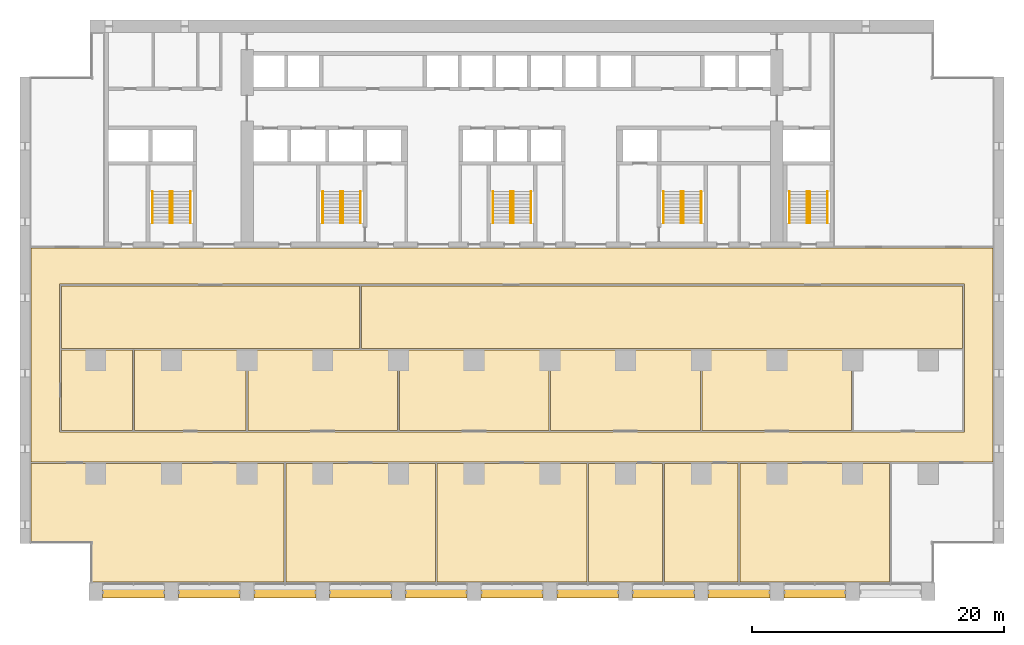
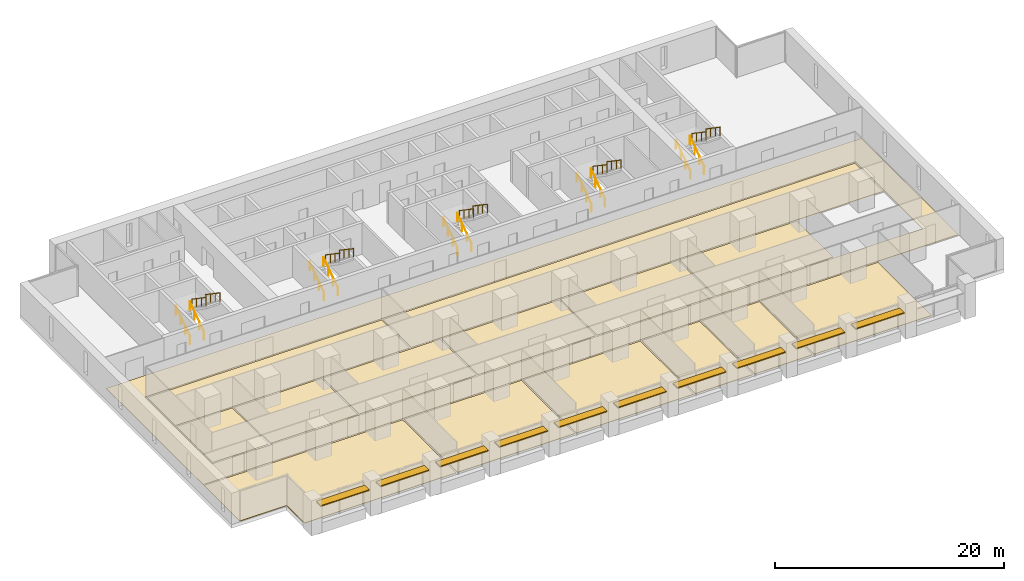
# One storey, part 17 of 18: 20 railings, 15 coverings, 10 shading devices, 5 elements without a shape of their own.
"""IFC4 building model written with IfcOpenShell, lengths in metres."""

import ifcopenshell
import ifcopenshell.guid

model = None  # the IFC model being written
_history = None  # IfcOwnerHistory: only IFC2X3 demands one
_inside = {}  # id of a spatial element -> (the spatial element, [elements in it])
_under = {}  # id of a project, library or spatial element -> (it, [spatial elements below it])
_declared = {}  # id of a project -> (the project, [libraries it declares])
_typed = {}  # id of a type object -> (the type object, [elements of that type])
_made_of = {}  # id of a material, layer set ... -> (it, [elements and type objects made of it])


def new_model(schema):
    """Start an empty IFC model of exactly this schema.

    Asked for "IFC4X3", IfcOpenShell would pick the latest addendum, in which some entities
    have other attributes; the version numbers below select the first issue.
    IFC2X3 requires an IfcOwnerHistory on every rooted entity: one is made here for all.
    """
    global model, _history
    if schema == "IFC4X3":
        model = ifcopenshell.file(schema_version=(4, 3, 0, 0))
    else:
        model = ifcopenshell.file(schema=schema)
    _inside.clear()
    _under.clear()
    _declared.clear()
    _typed.clear()
    _made_of.clear()
    _history = None
    if model.schema == "IFC2X3":
        org = make("IfcOrganization", Name="unknown")
        user = make(
            "IfcPersonAndOrganization",
            ThePerson=make("IfcPerson", FamilyName="unknown"),
            TheOrganization=org,
        )
        app = make(
            "IfcApplication",
            ApplicationDeveloper=org,
            Version="unknown",
            ApplicationFullName="unknown",
            ApplicationIdentifier="unknown",
        )
        _history = make(
            "IfcOwnerHistory",
            OwningUser=user,
            OwningApplication=app,
            ChangeAction="ADDED",
            CreationDate=0,
        )
    return model


def make(cls, **values):
    """One entity of the class cls with the attributes given. An attribute that is None is left unset."""
    return model.create_entity(
        cls, **{name: value for name, value in values.items() if value is not None}
    )


def rooted(cls, **values):
    """An entity with a GlobalId (a new one), such as an element, a storey or a relation."""
    return make(cls, GlobalId=ifcopenshell.guid.new(), OwnerHistory=_history, **values)


def si_unit(unit_type, name, prefix=None):
    """IfcSIUnit, for example si_unit("LENGTHUNIT", "METRE", prefix="MILLI")."""
    return make("IfcSIUnit", UnitType=unit_type, Prefix=prefix, Name=name)


def assignment(units):
    """IfcUnitAssignment: the units of a project."""
    return None if units is None else make("IfcUnitAssignment", Units=units)


def point(xyz):
    """IfcCartesianPoint."""
    return None if xyz is None else make("IfcCartesianPoint", Coordinates=xyz)


def direction(xyz):
    """IfcDirection."""
    return None if xyz is None else make("IfcDirection", DirectionRatios=xyz)


def frame(location, z_axis=None, x_axis=None):
    """IfcAxis2Placement3D, a coordinate frame: its origin and axes. An axis left out is left unset."""
    return make(
        "IfcAxis2Placement3D",
        Location=point(location),
        Axis=direction(z_axis),
        RefDirection=direction(x_axis),
    )


def frame_2d(location, x_axis=None):
    """IfcAxis2Placement2D, a coordinate frame in the plane: its origin and x axis."""
    return make(
        "IfcAxis2Placement2D", Location=point(location), RefDirection=direction(x_axis)
    )


def origin():
    """The frame at (0, 0, 0) with its axes left unset."""
    return frame((0.0, 0.0, 0.0))


def origin_2d():
    """The frame at (0, 0) in the plane with its x axis left unset."""
    return frame_2d((0.0, 0.0))


def place(relative_to, where):
    """IfcLocalPlacement: puts the frame where relative to a parent placement (None: the world)."""
    return make(
        "IfcLocalPlacement", PlacementRelTo=relative_to, RelativePlacement=where
    )


def context(
    kind, dimensions, precision=None, world=None, true_north=None, identifier=None
):
    """IfcGeometricRepresentationContext, for example the 3D "Model" context."""
    return make(
        "IfcGeometricRepresentationContext",
        ContextIdentifier=identifier,
        ContextType=kind,
        CoordinateSpaceDimension=dimensions,
        Precision=precision,
        WorldCoordinateSystem=world,
        TrueNorth=true_north,
    )


def subcontext(parent, identifier, kind, view, scale=None):
    """IfcGeometricRepresentationSubContext, for example "Body" below "Model"."""
    return make(
        "IfcGeometricRepresentationSubContext",
        ContextIdentifier=identifier,
        ContextType=kind,
        ParentContext=parent,
        TargetScale=scale,
        TargetView=view,
    )


def project(units=None, contexts=None):
    """IfcProject with its units and contexts."""
    return rooted(
        "IfcProject",
        Name="project",
        RepresentationContexts=contexts,
        UnitsInContext=assignment(units),
    )


def spatial(cls, under=None, at=None, **own):
    """A site, building, storey or space (cls), placed at a placement, below another one or the project."""
    s = rooted(cls, ObjectPlacement=at, **own)
    if under is not None:
        _under.setdefault(under.id(), (under, []))[1].append(s)
    return s


def polyline(points):
    """IfcPolyline through the points."""
    return make("IfcPolyline", Points=[point(p) for p in points])


def profile(cls, at=None, kind="AREA", **sizes):
    """A parametric profile (cls). Its sizes go by their IFC names, for example OverallWidth=200.0."""
    return make(cls, ProfileType=kind, Position=at, **sizes)


def rectangle(**sizes):
    """IfcRectangleProfileDef."""
    return profile("IfcRectangleProfileDef", **sizes)


def circle(**sizes):
    """IfcCircleProfileDef."""
    return profile("IfcCircleProfileDef", **sizes)


def outline(outer, holes=None, kind="AREA"):
    """IfcArbitraryClosedProfileDef: a profile drawn as a closed curve; with holes, ...WithVoids."""
    if holes is None:
        return make("IfcArbitraryClosedProfileDef", ProfileType=kind, OuterCurve=outer)
    return make(
        "IfcArbitraryProfileDefWithVoids",
        ProfileType=kind,
        OuterCurve=outer,
        InnerCurves=holes,
    )


def extrude(swept, where, along, depth):
    """IfcExtrudedAreaSolid: the profile swept, set in the frame where, extruded along a direction by depth."""
    return make(
        "IfcExtrudedAreaSolid",
        SweptArea=swept,
        Position=where,
        ExtrudedDirection=direction(along),
        Depth=depth,
    )


def shape(context_of_items, identifier, shape_type, items):
    """IfcShapeRepresentation: the items that make up one representation, for example the "Body"."""
    return make(
        "IfcShapeRepresentation",
        ContextOfItems=context_of_items,
        RepresentationIdentifier=identifier,
        RepresentationType=shape_type,
        Items=items,
    )


def material(Name=None, Category=None):
    """IfcMaterial."""
    return make("IfcMaterial", Name=Name, Category=Category)


def layer(
    of_material, thickness, ventilated=None, Name=None, Category=None, Priority=None
):
    """IfcMaterialLayer: one layer of a wall or slab, of a material (None: an air gap)."""
    return make(
        "IfcMaterialLayer",
        Material=of_material,
        LayerThickness=thickness,
        IsVentilated=ventilated,
        Name=Name,
        Category=Category,
        Priority=Priority,
    )


def layer_set(layers, Name=None):
    """IfcMaterialLayerSet."""
    return make("IfcMaterialLayerSet", MaterialLayers=layers, LayerSetName=Name)


def material_profile(
    of_material, cross_section, Name=None, Category=None, Priority=None
):
    """IfcMaterialProfile: a cross section and its material."""
    return make(
        "IfcMaterialProfile",
        Name=Name,
        Material=of_material,
        Profile=cross_section,
        Priority=Priority,
        Category=Category,
    )


def profile_set(profiles, Name=None, composite=None):
    """IfcMaterialProfileSet."""
    return make(
        "IfcMaterialProfileSet",
        Name=Name,
        MaterialProfiles=profiles,
        CompositeProfile=composite,
    )


def made_of(thing, what):
    """Note that an element or type object is made of a material, layer set ...; save() writes the relation."""
    if what is not None:
        _made_of.setdefault(what.id(), (what, []))[1].append(thing)
    return thing


def type_object(cls, material=None, **own):
    """A type object (cls), such as IfcWallType, which elements share."""
    return made_of(rooted(cls, **own), material)


def element(
    cls,
    number,
    at=None,
    inside=None,
    cuts=None,
    type_object=None,
    material=None,
    context=None,
    identifier="Body",
    shape_type=None,
    held_by="IfcProductDefinitionShape",
    body=None,
    shapes=None,
    **own,
):
    """One element of the class cls, such as IfcWall. Its Tag is "e" and its number.

    at: its placement. inside: the storey or other place that contains it. cuts: it is an
    opening in that element (IfcRelVoidsElement). A single representation is given by context,
    identifier, shape_type and body (its items); several are given by shapes. held_by: the class
    of the entity that holds the representations. save() writes the other relations.
    """
    e = rooted(cls, Tag="e%d" % number, ObjectPlacement=at, **own)
    if body is not None:
        shapes = [shape(context, identifier, shape_type, body)]
    if shapes is not None:
        e.Representation = make(held_by, Representations=shapes)
    if inside is not None:
        _inside.setdefault(inside.id(), (inside, []))[1].append(e)
    if cuts is not None:
        rooted(
            "IfcRelVoidsElement", RelatingBuildingElement=cuts, RelatedOpeningElement=e
        )
    if type_object is not None:
        _typed.setdefault(type_object.id(), (type_object, []))[1].append(e)
    return made_of(e, material)


def aggregate(whole, parts):
    """IfcRelAggregates: a whole, such as a stair, and the parts it consists of."""
    return rooted("IfcRelAggregates", RelatingObject=whole, RelatedObjects=parts)


def save(model, path):
    """Write the relations noted so far, then the file.

    IfcRelAggregates (storeys below a building ...), IfcRelContainedInSpatialStructure (elements
    in a storey), IfcRelDefinesByType, IfcRelAssociatesMaterial and IfcRelDeclares: one each for
    every whole, place, type object, material and project.
    """
    for whole, parts in _under.values():
        aggregate(whole, parts)
    for where, things in _inside.values():
        rooted(
            "IfcRelContainedInSpatialStructure",
            RelatedElements=things,
            RelatingStructure=where,
        )
    for kind, things in _typed.values():
        rooted("IfcRelDefinesByType", RelatedObjects=things, RelatingType=kind)
    for what, things in _made_of.values():
        rooted("IfcRelAssociatesMaterial", RelatedObjects=things, RelatingMaterial=what)
    for by, libraries in _declared.values():
        rooted("IfcRelDeclares", RelatingContext=by, RelatedDefinitions=libraries)
    model.write(path)


model = new_model("IFC4")

# Units and contexts
model_context = context("Model", 3, precision=1e-05, world=origin(), true_north=direction((0.0, 1.0)))
body_context = subcontext(model_context, "Body", "Model", "MODEL_VIEW")
ifc_project = project(units=[si_unit("LENGTHUNIT", "METRE"), si_unit("AREAUNIT", "SQUARE_METRE"), si_unit("VOLUMEUNIT", "CUBIC_METRE"), si_unit("PLANEANGLEUNIT", "RADIAN"), si_unit("MASSUNIT", "GRAM", prefix="KILO")], contexts=[model_context])

# Site, building, storey
site_placement = place(None, origin())
site = spatial("IfcSite", under=ifc_project, at=site_placement, CompositionType="ELEMENT")
building_placement = place(site_placement, origin())
building = spatial("IfcBuilding", under=site, at=building_placement, Name="Calvaro Tower", CompositionType="ELEMENT")
storey_placement = place(building_placement, frame((0.0, 0.0, 60.0)))
storey = spatial("IfcBuildingStorey", under=building, at=storey_placement, Name="L14", CompositionType="ELEMENT", Elevation=60.0)

# Shading devices
ifc_material_1 = material(Name="Anodised aluminium", Category="aluminium")
ifc_material_profile = material_profile(ifc_material_1, rectangle(XDim=0.800048828125, YDim=0.10009765625, at=origin_2d()), Name="Brise-soleil blade 800 x 100")
ifc_profile_set = profile_set([ifc_material_profile], Name="Anodised aluminium")
shading_device_type = type_object("IfcShadingDeviceType", Name="Brise-soleil blade 800 x 100", PredefinedType="JALOUSIE", material=ifc_profile_set)
for number, where, z_axis, x_axis, name in (
    (1, (6.550048828125, 0.60009765625, 2.300048828125), (1.0, 0.0, 0.0), (0.0, 1.0, 0.0), "Brise-soleil blade 1"),
    (2, (12.550048828125, 0.60009765625, 2.300048828125), (1.0, 0.0, 0.0), (0.0, 1.0, 0.0), "Brise-soleil blade 2"),
    (3, (18.550048828125, 0.60009765625, 2.300048828125), (1.0, 0.0, 0.0), (0.0, 1.0, 0.0), "Brise-soleil blade 3"),
    (4, (24.550048828125, 0.60009765625, 2.300048828125), (1.0, 0.0, 0.0), (0.0, 1.0, 0.0), "Brise-soleil blade 4"),
    (5, (30.550048828125, 0.60009765625, 2.300048828125), (1.0, 0.0, 0.0), (0.0, 1.0, 0.0), "Brise-soleil blade 5"),
    (6, (36.550048828125, 0.60009765625, 2.300048828125), (1.0, 0.0, 0.0), (0.0, 1.0, 0.0), "Brise-soleil blade 6"),
    (7, (42.550048828125, 0.60009765625, 2.300048828125), (1.0, 0.0, 0.0), (0.0, 1.0, 0.0), "Brise-soleil blade 7"),
    (8, (48.550048828125, 0.60009765625, 2.300048828125), (1.0, 0.0, 0.0), (0.0, 1.0, 0.0), "Brise-soleil blade 8"),
    (9, (54.550048828125, 0.60009765625, 2.300048828125), (1.0, 0.0, 0.0), (0.0, 1.0, 0.0), "Brise-soleil blade 9"),
    (10, (60.550048828125, 0.60009765625, 2.300048828125), (1.0, 0.0, 0.0), (0.0, 1.0, 0.0), "Brise-soleil blade 10"),
):
    element("IfcShadingDevice", number, at=place(storey_placement, frame(where, z_axis=z_axis, x_axis=x_axis)), inside=storey, type_object=shading_device_type, Name=name, PredefinedType="JALOUSIE", context=body_context, shape_type="SweptSolid", body=[
        extrude(rectangle(XDim=0.800048828125, YDim=0.10009765625, at=origin_2d()), origin(), (0.0, 0.0, 1.0), 4.89990234375),
    ])

# Coverings
ifc_material_2 = material(Name="Cement screed with carpet tile finish")
ifc_layer = layer(ifc_material_2, 0.050048828125)
ifc_layer_set = layer_set([ifc_layer], Name="Cement screed with carpet tile finish")
covering_type = type_object("IfcCoveringType", Name="Floor finish 50", PredefinedType="FLOORING", material=ifc_layer_set)
covering_1_placement = place(storey_placement, origin())
element("IfcCovering", 11, at=covering_1_placement, inside=storey, type_object=covering_type, Name="Floor finish 12.01", PredefinedType="FLOORING", context=body_context, shape_type="SweptSolid", body=[
    extrude(outline(polyline([(0.8701171875, 10.969970703125), (0.8701171875, 27.929931640625), (77.1298828125, 27.929931640625), (77.1298828125, 10.969970703125), (0.8701171875, 10.969970703125)]), holes=[polyline([(74.8701171875, 13.330078125), (74.8701171875, 25.070068359375), (3.1298828125, 25.070068359375), (3.1298828125, 13.330078125), (74.8701171875, 13.330078125)])]), origin(), (0.0, 0.0, 1.0), 0.050048828125),
])
covering_2_placement = place(storey_placement, origin())
element("IfcCovering", 12, at=covering_2_placement, inside=storey, type_object=covering_type, Name="Floor finish 12.07", PredefinedType="FLOORING", context=body_context, shape_type="SweptSolid", body=[
    extrude(outline(polyline([(20.929931640625, 10.830078125), (20.929931640625, 1.469970703125), (5.6201171875, 1.469970703125), (5.6201171875, 4.570068359375), (0.8701171875, 4.570068359375), (0.8701171875, 10.830078125), (20.929931640625, 10.830078125)])), origin(), (0.0, 0.0, 1.0), 0.050048828125),
])
covering_3_placement = place(storey_placement, origin())
element("IfcCovering", 13, at=covering_3_placement, inside=storey, type_object=covering_type, Name="Floor finish 12.02", PredefinedType="FLOORING", context=body_context, shape_type="SweptSolid", body=[
    extrude(outline(polyline([(21.070068359375, 10.830078125), (32.929931640625, 10.830078125), (32.929931640625, 1.469970703125), (21.070068359375, 1.469970703125), (21.070068359375, 10.830078125)])), origin(), (0.0, 0.0, 1.0), 0.050048828125),
])
covering_4_placement = place(storey_placement, origin())
element("IfcCovering", 14, at=covering_4_placement, inside=storey, type_object=covering_type, Name="Floor finish 12.03", PredefinedType="FLOORING", context=body_context, shape_type="SweptSolid", body=[
    extrude(outline(polyline([(33.070068359375, 10.830078125), (44.929931640625, 10.830078125), (44.929931640625, 1.469970703125), (33.070068359375, 1.469970703125), (33.070068359375, 10.830078125)])), origin(), (0.0, 0.0, 1.0), 0.050048828125),
])
covering_5_placement = place(storey_placement, origin())
element("IfcCovering", 15, at=covering_5_placement, inside=storey, type_object=covering_type, Name="Floor finish 12.04", PredefinedType="FLOORING", context=body_context, shape_type="SweptSolid", body=[
    extrude(outline(polyline([(45.070068359375, 10.830078125), (50.929931640625, 10.830078125), (50.929931640625, 1.469970703125), (45.070068359375, 1.469970703125), (45.070068359375, 10.830078125)])), origin(), (0.0, 0.0, 1.0), 0.050048828125),
])
covering_6_placement = place(storey_placement, origin())
element("IfcCovering", 16, at=covering_6_placement, inside=storey, type_object=covering_type, Name="Floor finish 12.05", PredefinedType="FLOORING", context=body_context, shape_type="SweptSolid", body=[
    extrude(outline(polyline([(51.070068359375, 10.830078125), (56.929931640625, 10.830078125), (56.929931640625, 1.469970703125), (51.070068359375, 1.469970703125), (51.070068359375, 10.830078125)])), origin(), (0.0, 0.0, 1.0), 0.050048828125),
])
covering_7_placement = place(storey_placement, origin())
element("IfcCovering", 17, at=covering_7_placement, inside=storey, type_object=covering_type, Name="Floor finish 12.06", PredefinedType="FLOORING", context=body_context, shape_type="SweptSolid", body=[
    extrude(outline(polyline([(57.070068359375, 10.830078125), (68.929931640625, 10.830078125), (68.929931640625, 1.469970703125), (57.070068359375, 1.469970703125), (57.070068359375, 10.830078125)])), origin(), (0.0, 0.0, 1.0), 0.050048828125),
])
covering_8_placement = place(storey_placement, origin())
element("IfcCovering", 18, at=covering_8_placement, inside=storey, type_object=covering_type, Name="Floor finish 12.09", PredefinedType="FLOORING", context=body_context, shape_type="SweptSolid", body=[
    extrude(outline(polyline([(3.27001953125, 13.469970703125), (3.27001953125, 19.830078125), (8.929931640625, 19.830078125), (8.929931640625, 13.469970703125), (3.27001953125, 13.469970703125)])), origin(), (0.0, 0.0, 1.0), 0.050048828125),
])
covering_9_placement = place(storey_placement, origin())
element("IfcCovering", 19, at=covering_9_placement, inside=storey, type_object=covering_type, Name="Floor finish 12.10", PredefinedType="FLOORING", context=body_context, shape_type="SweptSolid", body=[
    extrude(outline(polyline([(9.070068359375, 13.469970703125), (9.070068359375, 19.830078125), (17.929931640625, 19.830078125), (17.929931640625, 13.469970703125), (9.070068359375, 13.469970703125)])), origin(), (0.0, 0.0, 1.0), 0.050048828125),
])
covering_10_placement = place(storey_placement, origin())
element("IfcCovering", 20, at=covering_10_placement, inside=storey, type_object=covering_type, Name="Floor finish 12.11", PredefinedType="FLOORING", context=body_context, shape_type="SweptSolid", body=[
    extrude(outline(polyline([(18.070068359375, 13.469970703125), (18.070068359375, 19.830078125), (29.929931640625, 19.830078125), (29.929931640625, 13.469970703125), (18.070068359375, 13.469970703125)])), origin(), (0.0, 0.0, 1.0), 0.050048828125),
])
covering_11_placement = place(storey_placement, origin())
element("IfcCovering", 21, at=covering_11_placement, inside=storey, type_object=covering_type, Name="Floor finish 12.12", PredefinedType="FLOORING", context=body_context, shape_type="SweptSolid", body=[
    extrude(outline(polyline([(30.070068359375, 13.469970703125), (30.070068359375, 19.830078125), (41.929931640625, 19.830078125), (41.929931640625, 13.469970703125), (30.070068359375, 13.469970703125)])), origin(), (0.0, 0.0, 1.0), 0.050048828125),
])
covering_12_placement = place(storey_placement, origin())
element("IfcCovering", 22, at=covering_12_placement, inside=storey, type_object=covering_type, Name="Floor finish 12.13", PredefinedType="FLOORING", context=body_context, shape_type="SweptSolid", body=[
    extrude(outline(polyline([(42.070068359375, 13.469970703125), (42.070068359375, 19.830078125), (53.929931640625, 19.830078125), (53.929931640625, 13.469970703125), (42.070068359375, 13.469970703125)])), origin(), (0.0, 0.0, 1.0), 0.050048828125),
])
covering_13_placement = place(storey_placement, origin())
element("IfcCovering", 23, at=covering_13_placement, inside=storey, type_object=covering_type, Name="Floor finish 12.14", PredefinedType="FLOORING", context=body_context, shape_type="SweptSolid", body=[
    extrude(outline(polyline([(54.070068359375, 13.469970703125), (54.070068359375, 19.830078125), (65.929931640625, 19.830078125), (65.929931640625, 13.469970703125), (54.070068359375, 13.469970703125)])), origin(), (0.0, 0.0, 1.0), 0.050048828125),
])
covering_14_placement = place(storey_placement, origin())
element("IfcCovering", 24, at=covering_14_placement, inside=storey, type_object=covering_type, Name="Floor finish 12.16", PredefinedType="FLOORING", context=body_context, shape_type="SweptSolid", body=[
    extrude(outline(polyline([(3.27001953125, 19.969970703125), (3.27001953125, 24.929931640625), (26.929931640625, 24.929931640625), (26.929931640625, 19.969970703125), (3.27001953125, 19.969970703125)])), origin(), (0.0, 0.0, 1.0), 0.050048828125),
])
covering_15_placement = place(storey_placement, origin())
element("IfcCovering", 25, at=covering_15_placement, inside=storey, type_object=covering_type, Name="Floor finish 12.17", PredefinedType="FLOORING", context=body_context, shape_type="SweptSolid", body=[
    extrude(outline(polyline([(27.070068359375, 19.969970703125), (27.070068359375, 24.929931640625), (74.72998046875, 24.929931640625), (74.72998046875, 19.969970703125), (27.070068359375, 19.969970703125)])), origin(), (0.0, 0.0, 1.0), 0.050048828125),
])

# Stair, railings
ifc_material_3 = material(Name="Concrete C40/50", Category="concrete")
stair_type = type_object("IfcStairType", Name="Exit stair 1400 2 flights", PredefinedType="HALF_TURN_STAIR", material=ifc_material_3)
stair_1_placement = place(storey_placement, origin())
stair_1 = element("IfcStair", 26, at=stair_1_placement, inside=storey, type_object=stair_type, Name="Exit stair S1", PredefinedType="HALF_TURN_STAIR")
ifc_material_4 = material(Name="Stainless steel", Category="steel")
railing_type = type_object("IfcRailingType", Name="Stair handrail", PredefinedType="HANDRAIL", material=ifc_material_4)
railing_1_placement = place(storey_placement, frame((11.89990234375, 29.89990234375, 0.17041015625)))
railing_1 = element("IfcRailing", 27, at=railing_1_placement, type_object=railing_type, Name="Exit stair 1 handrail", PredefinedType="HANDRAIL", context=body_context, shape_type="SweptSolid", body=[
    extrude(circle(Radius=0.02392578125, at=origin_2d()), frame((0.0, 0.0, 0.8759765625), z_axis=(0.0, 0.826220514629, 0.563346839174), x_axis=(-1.0, 0.0, 0.0)), (0.0, 0.0, 1.0), 3.02587890625),
    extrude(circle(Radius=0.02099609375, at=origin_2d()), frame((0.0, 0.017333984375, 0.01171875)), (0.0, 0.0, 1.0), 0.851806640625),
    extrude(circle(Radius=0.02099609375, at=origin_2d()), frame((0.0, 0.833251953125, 0.568115234375)), (0.0, 0.0, 1.0), 0.851806640625),
    extrude(circle(Radius=0.02099609375, at=origin_2d()), frame((0.0, 1.666748046875, 1.136474609375)), (0.0, 0.0, 1.0), 0.851806640625),
    extrude(circle(Radius=0.02099609375, at=origin_2d()), frame((0.0, 2.482666015625, 1.69287109375)), (0.0, 0.0, 1.0), 0.851806640625),
])
railing_2_placement = place(storey_placement, frame((10.5, 29.89990234375, 0.17041015625)))
railing_2 = element("IfcRailing", 28, at=railing_2_placement, type_object=railing_type, Name="Exit stair 1 handrail", PredefinedType="HANDRAIL", context=body_context, shape_type="SweptSolid", body=[
    extrude(circle(Radius=0.02392578125, at=origin_2d()), frame((0.0, 0.0, 0.8759765625), z_axis=(0.0, 0.826220514629, 0.563346839174), x_axis=(-1.0, 0.0, 0.0)), (0.0, 0.0, 1.0), 3.02587890625),
    extrude(circle(Radius=0.02099609375, at=origin_2d()), frame((0.0, 0.017333984375, 0.01171875)), (0.0, 0.0, 1.0), 0.851806640625),
    extrude(circle(Radius=0.02099609375, at=origin_2d()), frame((0.0, 0.833251953125, 0.568115234375)), (0.0, 0.0, 1.0), 0.851806640625),
    extrude(circle(Radius=0.02099609375, at=origin_2d()), frame((0.0, 1.666748046875, 1.136474609375)), (0.0, 0.0, 1.0), 0.851806640625),
    extrude(circle(Radius=0.02099609375, at=origin_2d()), frame((0.0, 2.482666015625, 1.69287109375)), (0.0, 0.0, 1.0), 0.851806640625),
])
railing_3_placement = place(storey_placement, frame((12.10009765625, 32.39990234375, 2.04541015625)))
railing_3 = element("IfcRailing", 29, at=railing_3_placement, type_object=railing_type, Name="Exit stair 1 handrail", PredefinedType="HANDRAIL", context=body_context, shape_type="SweptSolid", body=[
    extrude(circle(Radius=0.02392578125, at=origin_2d()), frame((0.0, 0.0, 0.8759765625), z_axis=(0.0, -0.826220514629, 0.563346839174), x_axis=(1.0, 0.0, 0.0)), (0.0, 0.0, 1.0), 3.02587890625),
    extrude(circle(Radius=0.02099609375, at=origin_2d()), frame((0.0, -0.017333984375, 0.01171875)), (0.0, 0.0, 1.0), 0.851806640625),
    extrude(circle(Radius=0.02099609375, at=origin_2d()), frame((0.0, -0.833251953125, 0.568115234375)), (0.0, 0.0, 1.0), 0.851806640625),
    extrude(circle(Radius=0.02099609375, at=origin_2d()), frame((0.0, -1.666748046875, 1.136474609375)), (0.0, 0.0, 1.0), 0.851806640625),
    extrude(circle(Radius=0.02099609375, at=origin_2d()), frame((0.0, -2.482666015625, 1.69287109375)), (0.0, 0.0, 1.0), 0.851806640625),
])
railing_4_placement = place(storey_placement, frame((13.5, 32.39990234375, 2.04541015625)))
railing_4 = element("IfcRailing", 30, at=railing_4_placement, type_object=railing_type, Name="Exit stair 1 handrail", PredefinedType="HANDRAIL", context=body_context, shape_type="SweptSolid", body=[
    extrude(circle(Radius=0.02392578125, at=origin_2d()), frame((0.0, 0.0, 0.8759765625), z_axis=(0.0, -0.826220514629, 0.563346839174), x_axis=(1.0, 0.0, 0.0)), (0.0, 0.0, 1.0), 3.02587890625),
    extrude(circle(Radius=0.02099609375, at=origin_2d()), frame((0.0, -0.017333984375, 0.01171875)), (0.0, 0.0, 1.0), 0.851806640625),
    extrude(circle(Radius=0.02099609375, at=origin_2d()), frame((0.0, -0.833251953125, 0.568115234375)), (0.0, 0.0, 1.0), 0.851806640625),
    extrude(circle(Radius=0.02099609375, at=origin_2d()), frame((0.0, -1.666748046875, 1.136474609375)), (0.0, 0.0, 1.0), 0.851806640625),
    extrude(circle(Radius=0.02099609375, at=origin_2d()), frame((0.0, -2.482666015625, 1.69287109375)), (0.0, 0.0, 1.0), 0.851806640625),
])
aggregate(stair_1, [railing_1, railing_2, railing_3, railing_4])

stair_2_placement = place(storey_placement, origin())
stair_2 = element("IfcStair", 31, at=stair_2_placement, inside=storey, type_object=stair_type, Name="Exit stair S2", PredefinedType="HALF_TURN_STAIR")
railing_5_placement = place(storey_placement, frame((25.39990234375, 29.89990234375, 0.17041015625)))
railing_5 = element("IfcRailing", 32, at=railing_5_placement, type_object=railing_type, Name="Exit stair 2 handrail", PredefinedType="HANDRAIL", context=body_context, shape_type="SweptSolid", body=[
    extrude(circle(Radius=0.02392578125, at=origin_2d()), frame((0.0, 0.0, 0.8759765625), z_axis=(0.0, 0.826220514629, 0.563346839174), x_axis=(-1.0, 0.0, 0.0)), (0.0, 0.0, 1.0), 3.02587890625),
    extrude(circle(Radius=0.02099609375, at=origin_2d()), frame((0.0, 0.017333984375, 0.01171875)), (0.0, 0.0, 1.0), 0.851806640625),
    extrude(circle(Radius=0.02099609375, at=origin_2d()), frame((0.0, 0.833251953125, 0.568115234375)), (0.0, 0.0, 1.0), 0.851806640625),
    extrude(circle(Radius=0.02099609375, at=origin_2d()), frame((0.0, 1.666748046875, 1.136474609375)), (0.0, 0.0, 1.0), 0.851806640625),
    extrude(circle(Radius=0.02099609375, at=origin_2d()), frame((0.0, 2.482666015625, 1.69287109375)), (0.0, 0.0, 1.0), 0.851806640625),
])
railing_6_placement = place(storey_placement, frame((24.0, 29.89990234375, 0.17041015625)))
railing_6 = element("IfcRailing", 33, at=railing_6_placement, type_object=railing_type, Name="Exit stair 2 handrail", PredefinedType="HANDRAIL", context=body_context, shape_type="SweptSolid", body=[
    extrude(circle(Radius=0.02392578125, at=origin_2d()), frame((0.0, 0.0, 0.8759765625), z_axis=(0.0, 0.826220514629, 0.563346839174), x_axis=(-1.0, 0.0, 0.0)), (0.0, 0.0, 1.0), 3.02587890625),
    extrude(circle(Radius=0.02099609375, at=origin_2d()), frame((0.0, 0.017333984375, 0.01171875)), (0.0, 0.0, 1.0), 0.851806640625),
    extrude(circle(Radius=0.02099609375, at=origin_2d()), frame((0.0, 0.833251953125, 0.568115234375)), (0.0, 0.0, 1.0), 0.851806640625),
    extrude(circle(Radius=0.02099609375, at=origin_2d()), frame((0.0, 1.666748046875, 1.136474609375)), (0.0, 0.0, 1.0), 0.851806640625),
    extrude(circle(Radius=0.02099609375, at=origin_2d()), frame((0.0, 2.482666015625, 1.69287109375)), (0.0, 0.0, 1.0), 0.851806640625),
])
railing_7_placement = place(storey_placement, frame((25.60009765625, 32.39990234375, 2.04541015625)))
railing_7 = element("IfcRailing", 34, at=railing_7_placement, type_object=railing_type, Name="Exit stair 2 handrail", PredefinedType="HANDRAIL", context=body_context, shape_type="SweptSolid", body=[
    extrude(circle(Radius=0.02392578125, at=origin_2d()), frame((0.0, 0.0, 0.8759765625), z_axis=(0.0, -0.826220514629, 0.563346839174), x_axis=(1.0, 0.0, 0.0)), (0.0, 0.0, 1.0), 3.02587890625),
    extrude(circle(Radius=0.02099609375, at=origin_2d()), frame((0.0, -0.017333984375, 0.01171875)), (0.0, 0.0, 1.0), 0.851806640625),
    extrude(circle(Radius=0.02099609375, at=origin_2d()), frame((0.0, -0.833251953125, 0.568115234375)), (0.0, 0.0, 1.0), 0.851806640625),
    extrude(circle(Radius=0.02099609375, at=origin_2d()), frame((0.0, -1.666748046875, 1.136474609375)), (0.0, 0.0, 1.0), 0.851806640625),
    extrude(circle(Radius=0.02099609375, at=origin_2d()), frame((0.0, -2.482666015625, 1.69287109375)), (0.0, 0.0, 1.0), 0.851806640625),
])
railing_8_placement = place(storey_placement, frame((27.0, 32.39990234375, 2.04541015625)))
railing_8 = element("IfcRailing", 35, at=railing_8_placement, type_object=railing_type, Name="Exit stair 2 handrail", PredefinedType="HANDRAIL", context=body_context, shape_type="SweptSolid", body=[
    extrude(circle(Radius=0.02392578125, at=origin_2d()), frame((0.0, 0.0, 0.8759765625), z_axis=(0.0, -0.826220514629, 0.563346839174), x_axis=(1.0, 0.0, 0.0)), (0.0, 0.0, 1.0), 3.02587890625),
    extrude(circle(Radius=0.02099609375, at=origin_2d()), frame((0.0, -0.017333984375, 0.01171875)), (0.0, 0.0, 1.0), 0.851806640625),
    extrude(circle(Radius=0.02099609375, at=origin_2d()), frame((0.0, -0.833251953125, 0.568115234375)), (0.0, 0.0, 1.0), 0.851806640625),
    extrude(circle(Radius=0.02099609375, at=origin_2d()), frame((0.0, -1.666748046875, 1.136474609375)), (0.0, 0.0, 1.0), 0.851806640625),
    extrude(circle(Radius=0.02099609375, at=origin_2d()), frame((0.0, -2.482666015625, 1.69287109375)), (0.0, 0.0, 1.0), 0.851806640625),
])
aggregate(stair_2, [railing_5, railing_6, railing_7, railing_8])

stair_3_placement = place(storey_placement, origin())
stair_3 = element("IfcStair", 36, at=stair_3_placement, inside=storey, type_object=stair_type, Name="Exit stair S3", PredefinedType="HALF_TURN_STAIR")
railing_9_placement = place(storey_placement, frame((38.89990234375, 29.89990234375, 0.17041015625)))
railing_9 = element("IfcRailing", 37, at=railing_9_placement, type_object=railing_type, Name="Exit stair 3 handrail", PredefinedType="HANDRAIL", context=body_context, shape_type="SweptSolid", body=[
    extrude(circle(Radius=0.02392578125, at=origin_2d()), frame((0.0, 0.0, 0.8759765625), z_axis=(0.0, 0.826220514629, 0.563346839174), x_axis=(-1.0, 0.0, 0.0)), (0.0, 0.0, 1.0), 3.02587890625),
    extrude(circle(Radius=0.02099609375, at=origin_2d()), frame((0.0, 0.017333984375, 0.01171875)), (0.0, 0.0, 1.0), 0.851806640625),
    extrude(circle(Radius=0.02099609375, at=origin_2d()), frame((0.0, 0.833251953125, 0.568115234375)), (0.0, 0.0, 1.0), 0.851806640625),
    extrude(circle(Radius=0.02099609375, at=origin_2d()), frame((0.0, 1.666748046875, 1.136474609375)), (0.0, 0.0, 1.0), 0.851806640625),
    extrude(circle(Radius=0.02099609375, at=origin_2d()), frame((0.0, 2.482666015625, 1.69287109375)), (0.0, 0.0, 1.0), 0.851806640625),
])
railing_10_placement = place(storey_placement, frame((37.5, 29.89990234375, 0.17041015625)))
railing_10 = element("IfcRailing", 38, at=railing_10_placement, type_object=railing_type, Name="Exit stair 3 handrail", PredefinedType="HANDRAIL", context=body_context, shape_type="SweptSolid", body=[
    extrude(circle(Radius=0.02392578125, at=origin_2d()), frame((0.0, 0.0, 0.8759765625), z_axis=(0.0, 0.826220514629, 0.563346839174), x_axis=(-1.0, 0.0, 0.0)), (0.0, 0.0, 1.0), 3.02587890625),
    extrude(circle(Radius=0.02099609375, at=origin_2d()), frame((0.0, 0.017333984375, 0.01171875)), (0.0, 0.0, 1.0), 0.851806640625),
    extrude(circle(Radius=0.02099609375, at=origin_2d()), frame((0.0, 0.833251953125, 0.568115234375)), (0.0, 0.0, 1.0), 0.851806640625),
    extrude(circle(Radius=0.02099609375, at=origin_2d()), frame((0.0, 1.666748046875, 1.136474609375)), (0.0, 0.0, 1.0), 0.851806640625),
    extrude(circle(Radius=0.02099609375, at=origin_2d()), frame((0.0, 2.482666015625, 1.69287109375)), (0.0, 0.0, 1.0), 0.851806640625),
])
railing_11_placement = place(storey_placement, frame((39.10009765625, 32.39990234375, 2.04541015625)))
railing_11 = element("IfcRailing", 39, at=railing_11_placement, type_object=railing_type, Name="Exit stair 3 handrail", PredefinedType="HANDRAIL", context=body_context, shape_type="SweptSolid", body=[
    extrude(circle(Radius=0.02392578125, at=origin_2d()), frame((0.0, 0.0, 0.8759765625), z_axis=(0.0, -0.826220514629, 0.563346839174), x_axis=(1.0, 0.0, 0.0)), (0.0, 0.0, 1.0), 3.02587890625),
    extrude(circle(Radius=0.02099609375, at=origin_2d()), frame((0.0, -0.017333984375, 0.01171875)), (0.0, 0.0, 1.0), 0.851806640625),
    extrude(circle(Radius=0.02099609375, at=origin_2d()), frame((0.0, -0.833251953125, 0.568115234375)), (0.0, 0.0, 1.0), 0.851806640625),
    extrude(circle(Radius=0.02099609375, at=origin_2d()), frame((0.0, -1.666748046875, 1.136474609375)), (0.0, 0.0, 1.0), 0.851806640625),
    extrude(circle(Radius=0.02099609375, at=origin_2d()), frame((0.0, -2.482666015625, 1.69287109375)), (0.0, 0.0, 1.0), 0.851806640625),
])
railing_12_placement = place(storey_placement, frame((40.5, 32.39990234375, 2.04541015625)))
railing_12 = element("IfcRailing", 40, at=railing_12_placement, type_object=railing_type, Name="Exit stair 3 handrail", PredefinedType="HANDRAIL", context=body_context, shape_type="SweptSolid", body=[
    extrude(circle(Radius=0.02392578125, at=origin_2d()), frame((0.0, 0.0, 0.8759765625), z_axis=(0.0, -0.826220514629, 0.563346839174), x_axis=(1.0, 0.0, 0.0)), (0.0, 0.0, 1.0), 3.02587890625),
    extrude(circle(Radius=0.02099609375, at=origin_2d()), frame((0.0, -0.017333984375, 0.01171875)), (0.0, 0.0, 1.0), 0.851806640625),
    extrude(circle(Radius=0.02099609375, at=origin_2d()), frame((0.0, -0.833251953125, 0.568115234375)), (0.0, 0.0, 1.0), 0.851806640625),
    extrude(circle(Radius=0.02099609375, at=origin_2d()), frame((0.0, -1.666748046875, 1.136474609375)), (0.0, 0.0, 1.0), 0.851806640625),
    extrude(circle(Radius=0.02099609375, at=origin_2d()), frame((0.0, -2.482666015625, 1.69287109375)), (0.0, 0.0, 1.0), 0.851806640625),
])
aggregate(stair_3, [railing_9, railing_10, railing_11, railing_12])

stair_4_placement = place(storey_placement, origin())
stair_4 = element("IfcStair", 41, at=stair_4_placement, inside=storey, type_object=stair_type, Name="Exit stair S4", PredefinedType="HALF_TURN_STAIR")
railing_13_placement = place(storey_placement, frame((52.39990234375, 29.89990234375, 0.17041015625)))
railing_13 = element("IfcRailing", 42, at=railing_13_placement, type_object=railing_type, Name="Exit stair 4 handrail", PredefinedType="HANDRAIL", context=body_context, shape_type="SweptSolid", body=[
    extrude(circle(Radius=0.02392578125, at=origin_2d()), frame((0.0, 0.0, 0.8759765625), z_axis=(0.0, 0.826220514629, 0.563346839174), x_axis=(-1.0, 0.0, 0.0)), (0.0, 0.0, 1.0), 3.02587890625),
    extrude(circle(Radius=0.02099609375, at=origin_2d()), frame((0.0, 0.017333984375, 0.01171875)), (0.0, 0.0, 1.0), 0.851806640625),
    extrude(circle(Radius=0.02099609375, at=origin_2d()), frame((0.0, 0.833251953125, 0.568115234375)), (0.0, 0.0, 1.0), 0.851806640625),
    extrude(circle(Radius=0.02099609375, at=origin_2d()), frame((0.0, 1.666748046875, 1.136474609375)), (0.0, 0.0, 1.0), 0.851806640625),
    extrude(circle(Radius=0.02099609375, at=origin_2d()), frame((0.0, 2.482666015625, 1.69287109375)), (0.0, 0.0, 1.0), 0.851806640625),
])
railing_14_placement = place(storey_placement, frame((51.0, 29.89990234375, 0.17041015625)))
railing_14 = element("IfcRailing", 43, at=railing_14_placement, type_object=railing_type, Name="Exit stair 4 handrail", PredefinedType="HANDRAIL", context=body_context, shape_type="SweptSolid", body=[
    extrude(circle(Radius=0.02392578125, at=origin_2d()), frame((0.0, 0.0, 0.8759765625), z_axis=(0.0, 0.826220514629, 0.563346839174), x_axis=(-1.0, 0.0, 0.0)), (0.0, 0.0, 1.0), 3.02587890625),
    extrude(circle(Radius=0.02099609375, at=origin_2d()), frame((0.0, 0.017333984375, 0.01171875)), (0.0, 0.0, 1.0), 0.851806640625),
    extrude(circle(Radius=0.02099609375, at=origin_2d()), frame((0.0, 0.833251953125, 0.568115234375)), (0.0, 0.0, 1.0), 0.851806640625),
    extrude(circle(Radius=0.02099609375, at=origin_2d()), frame((0.0, 1.666748046875, 1.136474609375)), (0.0, 0.0, 1.0), 0.851806640625),
    extrude(circle(Radius=0.02099609375, at=origin_2d()), frame((0.0, 2.482666015625, 1.69287109375)), (0.0, 0.0, 1.0), 0.851806640625),
])
railing_15_placement = place(storey_placement, frame((52.60009765625, 32.39990234375, 2.04541015625)))
railing_15 = element("IfcRailing", 44, at=railing_15_placement, type_object=railing_type, Name="Exit stair 4 handrail", PredefinedType="HANDRAIL", context=body_context, shape_type="SweptSolid", body=[
    extrude(circle(Radius=0.02392578125, at=origin_2d()), frame((0.0, 0.0, 0.8759765625), z_axis=(0.0, -0.826220514629, 0.563346839174), x_axis=(1.0, 0.0, 0.0)), (0.0, 0.0, 1.0), 3.02587890625),
    extrude(circle(Radius=0.02099609375, at=origin_2d()), frame((0.0, -0.017333984375, 0.01171875)), (0.0, 0.0, 1.0), 0.851806640625),
    extrude(circle(Radius=0.02099609375, at=origin_2d()), frame((0.0, -0.833251953125, 0.568115234375)), (0.0, 0.0, 1.0), 0.851806640625),
    extrude(circle(Radius=0.02099609375, at=origin_2d()), frame((0.0, -1.666748046875, 1.136474609375)), (0.0, 0.0, 1.0), 0.851806640625),
    extrude(circle(Radius=0.02099609375, at=origin_2d()), frame((0.0, -2.482666015625, 1.69287109375)), (0.0, 0.0, 1.0), 0.851806640625),
])
railing_16_placement = place(storey_placement, frame((54.0, 32.39990234375, 2.04541015625)))
railing_16 = element("IfcRailing", 45, at=railing_16_placement, type_object=railing_type, Name="Exit stair 4 handrail", PredefinedType="HANDRAIL", context=body_context, shape_type="SweptSolid", body=[
    extrude(circle(Radius=0.02392578125, at=origin_2d()), frame((0.0, 0.0, 0.8759765625), z_axis=(0.0, -0.826220514629, 0.563346839174), x_axis=(1.0, 0.0, 0.0)), (0.0, 0.0, 1.0), 3.02587890625),
    extrude(circle(Radius=0.02099609375, at=origin_2d()), frame((0.0, -0.017333984375, 0.01171875)), (0.0, 0.0, 1.0), 0.851806640625),
    extrude(circle(Radius=0.02099609375, at=origin_2d()), frame((0.0, -0.833251953125, 0.568115234375)), (0.0, 0.0, 1.0), 0.851806640625),
    extrude(circle(Radius=0.02099609375, at=origin_2d()), frame((0.0, -1.666748046875, 1.136474609375)), (0.0, 0.0, 1.0), 0.851806640625),
    extrude(circle(Radius=0.02099609375, at=origin_2d()), frame((0.0, -2.482666015625, 1.69287109375)), (0.0, 0.0, 1.0), 0.851806640625),
])
aggregate(stair_4, [railing_13, railing_14, railing_15, railing_16])

stair_5_placement = place(storey_placement, origin())
stair_5 = element("IfcStair", 46, at=stair_5_placement, inside=storey, type_object=stair_type, Name="Exit stair S5", PredefinedType="HALF_TURN_STAIR")
railing_17_placement = place(storey_placement, frame((62.39990234375, 29.89990234375, 0.17041015625)))
railing_17 = element("IfcRailing", 47, at=railing_17_placement, type_object=railing_type, Name="Exit stair 5 handrail", PredefinedType="HANDRAIL", context=body_context, shape_type="SweptSolid", body=[
    extrude(circle(Radius=0.02392578125, at=origin_2d()), frame((0.0, 0.0, 0.8759765625), z_axis=(0.0, 0.826220514629, 0.563346839174), x_axis=(-1.0, 0.0, 0.0)), (0.0, 0.0, 1.0), 3.02587890625),
    extrude(circle(Radius=0.02099609375, at=origin_2d()), frame((0.0, 0.017333984375, 0.01171875)), (0.0, 0.0, 1.0), 0.851806640625),
    extrude(circle(Radius=0.02099609375, at=origin_2d()), frame((0.0, 0.833251953125, 0.568115234375)), (0.0, 0.0, 1.0), 0.851806640625),
    extrude(circle(Radius=0.02099609375, at=origin_2d()), frame((0.0, 1.666748046875, 1.136474609375)), (0.0, 0.0, 1.0), 0.851806640625),
    extrude(circle(Radius=0.02099609375, at=origin_2d()), frame((0.0, 2.482666015625, 1.69287109375)), (0.0, 0.0, 1.0), 0.851806640625),
])
railing_18_placement = place(storey_placement, frame((61.0, 29.89990234375, 0.17041015625)))
railing_18 = element("IfcRailing", 48, at=railing_18_placement, type_object=railing_type, Name="Exit stair 5 handrail", PredefinedType="HANDRAIL", context=body_context, shape_type="SweptSolid", body=[
    extrude(circle(Radius=0.02392578125, at=origin_2d()), frame((0.0, 0.0, 0.8759765625), z_axis=(0.0, 0.826220514629, 0.563346839174), x_axis=(-1.0, 0.0, 0.0)), (0.0, 0.0, 1.0), 3.02587890625),
    extrude(circle(Radius=0.02099609375, at=origin_2d()), frame((0.0, 0.017333984375, 0.01171875)), (0.0, 0.0, 1.0), 0.851806640625),
    extrude(circle(Radius=0.02099609375, at=origin_2d()), frame((0.0, 0.833251953125, 0.568115234375)), (0.0, 0.0, 1.0), 0.851806640625),
    extrude(circle(Radius=0.02099609375, at=origin_2d()), frame((0.0, 1.666748046875, 1.136474609375)), (0.0, 0.0, 1.0), 0.851806640625),
    extrude(circle(Radius=0.02099609375, at=origin_2d()), frame((0.0, 2.482666015625, 1.69287109375)), (0.0, 0.0, 1.0), 0.851806640625),
])
railing_19_placement = place(storey_placement, frame((62.60009765625, 32.39990234375, 2.04541015625)))
railing_19 = element("IfcRailing", 49, at=railing_19_placement, type_object=railing_type, Name="Exit stair 5 handrail", PredefinedType="HANDRAIL", context=body_context, shape_type="SweptSolid", body=[
    extrude(circle(Radius=0.02392578125, at=origin_2d()), frame((0.0, 0.0, 0.8759765625), z_axis=(0.0, -0.826220514629, 0.563346839174), x_axis=(1.0, 0.0, 0.0)), (0.0, 0.0, 1.0), 3.02587890625),
    extrude(circle(Radius=0.02099609375, at=origin_2d()), frame((0.0, -0.017333984375, 0.01171875)), (0.0, 0.0, 1.0), 0.851806640625),
    extrude(circle(Radius=0.02099609375, at=origin_2d()), frame((0.0, -0.833251953125, 0.568115234375)), (0.0, 0.0, 1.0), 0.851806640625),
    extrude(circle(Radius=0.02099609375, at=origin_2d()), frame((0.0, -1.666748046875, 1.136474609375)), (0.0, 0.0, 1.0), 0.851806640625),
    extrude(circle(Radius=0.02099609375, at=origin_2d()), frame((0.0, -2.482666015625, 1.69287109375)), (0.0, 0.0, 1.0), 0.851806640625),
])
railing_20_placement = place(storey_placement, frame((64.0, 32.39990234375, 2.04541015625)))
railing_20 = element("IfcRailing", 50, at=railing_20_placement, type_object=railing_type, Name="Exit stair 5 handrail", PredefinedType="HANDRAIL", context=body_context, shape_type="SweptSolid", body=[
    extrude(circle(Radius=0.02392578125, at=origin_2d()), frame((0.0, 0.0, 0.8759765625), z_axis=(0.0, -0.826220514629, 0.563346839174), x_axis=(1.0, 0.0, 0.0)), (0.0, 0.0, 1.0), 3.02587890625),
    extrude(circle(Radius=0.02099609375, at=origin_2d()), frame((0.0, -0.017333984375, 0.01171875)), (0.0, 0.0, 1.0), 0.851806640625),
    extrude(circle(Radius=0.02099609375, at=origin_2d()), frame((0.0, -0.833251953125, 0.568115234375)), (0.0, 0.0, 1.0), 0.851806640625),
    extrude(circle(Radius=0.02099609375, at=origin_2d()), frame((0.0, -1.666748046875, 1.136474609375)), (0.0, 0.0, 1.0), 0.851806640625),
    extrude(circle(Radius=0.02099609375, at=origin_2d()), frame((0.0, -2.482666015625, 1.69287109375)), (0.0, 0.0, 1.0), 0.851806640625),
])
aggregate(stair_5, [railing_17, railing_18, railing_19, railing_20])

save(model, "model.ifc")
